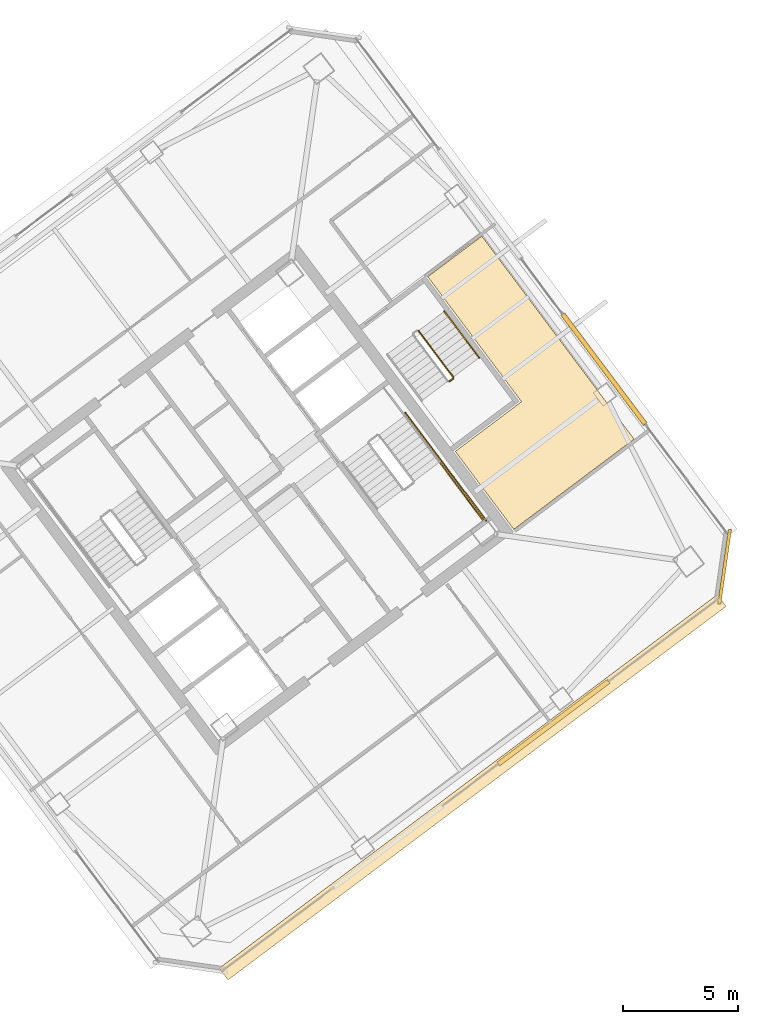
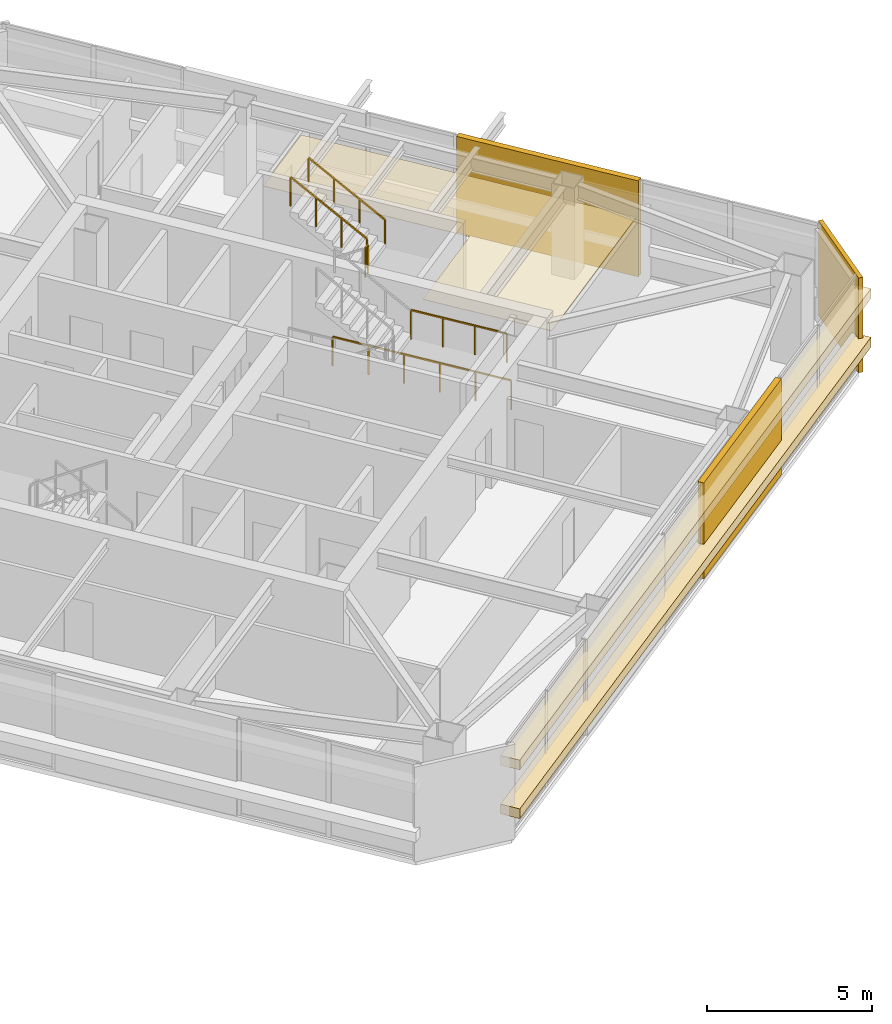
# One storey, part 43 of 44: 6 coverings, 5 railings.
"""IFC4 building model written with IfcOpenShell, lengths in metres."""

from ifc_helpers import new_model, si_unit, direction, frame, origin, origin_2d, place, context, subcontext, project, spatial, polyline, rectangle, outline, extrude, material, layer, layer_set, type_object, element, save


model = new_model("IFC4")

# Units and contexts
model_context = context("Model", 3, precision=1e-05, world=origin(), true_north=direction((0.0, 1.0)))
body_context = subcontext(model_context, "Body", "Model", "MODEL_VIEW")
ifc_project = project(units=[si_unit("LENGTHUNIT", "METRE"), si_unit("AREAUNIT", "SQUARE_METRE"), si_unit("VOLUMEUNIT", "CUBIC_METRE"), si_unit("PLANEANGLEUNIT", "RADIAN"), si_unit("MASSUNIT", "GRAM", prefix="KILO")], contexts=[model_context])

# Site, building, storey
site_placement = place(None, origin())
site = spatial("IfcSite", under=ifc_project, at=site_placement, CompositionType="ELEMENT")
building_placement = place(site_placement, origin())
building = spatial("IfcBuilding", under=site, at=building_placement, Name="Tashvorn Skyway Center", CompositionType="ELEMENT")
storey_placement = place(building_placement, frame((0.0, 0.0, 211.300048828125)))
storey = spatial("IfcBuildingStorey", under=building, at=storey_placement, Name="L57", CompositionType="ELEMENT", Elevation=211.300048828125)

# Coverings
ifc_material_1 = material(Name="Precast concrete C40/50", Category="concrete")
ifc_layer_1 = layer(ifc_material_1, 0.199951171875)
ifc_layer_set_1 = layer_set([ifc_layer_1], Name="Precast concrete C40/50")
covering_type_1 = type_object("IfcCoveringType", Name="COV-BRACE-CLAD", PredefinedType="CLADDING", material=ifc_layer_set_1)
for number, where, z_axis, x_axis, name in (
    (1, (126.882568359375, 22.31201171875, 0.0), (0.0, 0.0, 1.0), (-0.799999996291, -0.600000004945, 0.0), "Tower 2 L57 South Unitised Curtain Wall Mega-Brace Cladding Band 1"),
    (2, (129.080078125, 37.693359375, 0.0), (0.0, 0.0, 1.0), (0.600000004945, -0.799999996291, 0.0), "Tower 2 L57 East Unitised Curtain Wall Mega-Brace Cladding Band 2"),
):
    element("IfcCovering", number, at=place(storey_placement, frame(where, z_axis=z_axis, x_axis=x_axis)), inside=storey, type_object=covering_type_1, Name=name, PredefinedType="CLADDING", context=body_context, shape_type="SweptSolid", body=[
        extrude(rectangle(XDim=5.990966796875, YDim=0.199951171875, at=origin_2d()), origin(), (0.0, 0.0, 1.0), 3.550048828125),
    ])
ifc_material_2 = material(Name="Mineral-fibre acoustic ceiling tile on suspended grid")
ifc_layer_2 = layer(ifc_material_2, 0.02001953125)
ifc_layer_set_2 = layer_set([ifc_layer_2], Name="Mineral-fibre acoustic ceiling tile on suspended grid")
covering_type_2 = type_object("IfcCoveringType", Name="COV-CEIL-20", PredefinedType="CEILING", material=ifc_layer_set_2)
covering_1_placement = place(storey_placement, frame((0.0, 0.0, 2.702880859375)))
element("IfcCovering", 3, at=covering_1_placement, inside=storey, type_object=covering_type_2, Name="Tower 2 L57 Corporate Office Acoustic Ceiling", PredefinedType="CEILING", context=body_context, shape_type="SweptSolid", body=[
    extrude(outline(polyline([(125.159912109375, 30.719970703125), (122.615966796875, 34.112060546875), (125.49609375, 36.27197265625), (121.416015625, 41.7119140625), (123.76806640625, 43.47607421875), (127.847900390625, 38.035888671875), (130.39208984375, 34.64404296875), (125.159912109375, 30.719970703125)])), origin(), (0.0, 0.0, 1.0), 0.02001953125),
])
ifc_material_3 = material(Name="Perforated ceramic-coated bronze aluminium solar screen", Category="aluminium")
ifc_layer_3 = layer(ifc_material_3, 0.85009765625)
ifc_layer_set_3 = layer_set([ifc_layer_3], Name="Perforated ceramic-coated bronze aluminium solar screen")
covering_type_3 = type_object("IfcCoveringType", Name="COV-SOLAR-BAND", PredefinedType="CLADDING", material=ifc_layer_set_3)
for number, where, z_axis, x_axis, name in (
    (4, (123.3720703125, 19.50390625, 0.919921875), (0.0, 0.0, 1.0), (-0.799999996291, -0.600000004945, 0.0), "L57 Perforated Ceramic-Metal Solar Screen Louvre Band South 1"),
    (5, (123.3720703125, 19.50390625, 2.7197265625), (0.0, 0.0, 1.0), (-0.799999996291, -0.600000004945, 0.0), "L57 Perforated Ceramic-Metal Solar Screen Louvre Band South 2"),
):
    element("IfcCovering", number, at=place(storey_placement, frame(where, z_axis=z_axis, x_axis=x_axis)), inside=storey, type_object=covering_type_3, Name=name, PredefinedType="CLADDING", context=body_context, shape_type="SweptSolid", body=[
        extrude(rectangle(XDim=27.080078125, YDim=0.639892578125, at=origin_2d()), origin(), (0.0, 0.0, 1.0), 0.360107421875),
    ])
ifc_layer_4 = layer(ifc_material_1, 0.35009765625)
ifc_layer_set_4 = layer_set([ifc_layer_4], Name="Precast concrete C40/50")
covering_type_4 = type_object("IfcCoveringType", Name="COV-STONE-TRIM", PredefinedType="CLADDING", material=ifc_layer_set_4)
covering_2_placement = place(storey_placement, frame((134.327880859375, 29.095947265625, 0.02001953125), z_axis=(0.0, 0.0, 1.0), x_axis=(0.141421350118, 0.989949494535, 0.0)))
element("IfcCovering", 6, at=covering_2_placement, inside=storey, type_object=covering_type_4, Name="Tower 2 L57 SE Mojave Limestone Corner Quoin", PredefinedType="CLADDING", context=body_context, shape_type="SweptSolid", body=[
    extrude(rectangle(XDim=3.271240234375, YDim=0.139892578125, at=origin_2d()), origin(), (0.0, 0.0, 1.0), 3.510009765625),
])

# Railings
ifc_material_4 = material(Name="Brushed stainless steel 316", Category="steel")
railing_type_1 = type_object("IfcRailingType", Name="RAIL-HAND-920", PredefinedType="HANDRAIL", material=ifc_material_4)
railing_1_placement = place(storey_placement, frame((123.64794921875, 38.18603515625, 1.952392578125)))
element("IfcRailing", 7, at=railing_1_placement, inside=storey, type_object=railing_type_1, Name="L57 ST-T2-3 stair handrail 2", PredefinedType="HANDRAIL", context=body_context, shape_type="SweptSolid", body=[
    extrude(rectangle(XDim=0.048095703125, YDim=0.048095703125, at=origin_2d()), frame((0.0, 0.0, 0.8759765625), z_axis=(-0.50674661542, 0.675634878657, 0.535467439255), x_axis=(-0.79998837352, -0.60001550166, 0.0)), (0.0, 0.0, 1.0), 2.983642578125),
    extrude(rectangle(XDim=0.0419921875, YDim=0.0419921875, at=origin_2d()), origin(), (0.0, 0.0, 1.0), 0.851806640625),
    extrude(rectangle(XDim=0.0419921875, YDim=0.0419921875, at=origin_2d()), frame((-0.50390625, 0.671875, 0.532470703125)), (0.0, 0.0, 1.0), 0.851806640625),
    extrude(rectangle(XDim=0.0419921875, YDim=0.0419921875, at=origin_2d()), frame((-1.008056640625, 1.343994140625, 1.065185546875)), (0.0, 0.0, 1.0), 0.851806640625),
    extrude(rectangle(XDim=0.0419921875, YDim=0.0419921875, at=origin_2d()), frame((-1.511962890625, 2.015869140625, 1.59765625)), (0.0, 0.0, 1.0), 0.851806640625),
])
ifc_material_5 = material(Name="Painted galvanized steel S355", Category="steel")
railing_type_2 = type_object("IfcRailingType", Name="RAIL-STGUARD-1100", PredefinedType="GUARDRAIL", material=ifc_material_5)
railing_2_placement = place(storey_placement, frame((121.927978515625, 33.64599609375, 1.77490234375)))
element("IfcRailing", 8, at=railing_2_placement, inside=storey, type_object=railing_type_2, Name="L57 ST-T2-2 stair guard 3", PredefinedType="GUARDRAIL", context=body_context, shape_type="SweptSolid", body=[
    extrude(rectangle(XDim=0.048095703125, YDim=0.048095703125, at=origin_2d()), frame((0.0, 0.0, 1.076171875), z_axis=(0.599987638607, -0.800009270896, 0.0), x_axis=(0.800009270896, 0.599987638607, 0.0)), (0.0, 0.0, 1.0), 3.16015625),
    extrude(rectangle(XDim=0.0419921875, YDim=0.0419921875, at=origin_2d()), origin(), (0.0, 0.0, 1.0), 1.052001953125),
    extrude(rectangle(XDim=0.0419921875, YDim=0.0419921875, at=origin_2d()), frame((0.632080078125, -0.8427734375, 0.0)), (0.0, 0.0, 1.0), 1.052001953125),
    extrude(rectangle(XDim=0.0419921875, YDim=0.0419921875, at=origin_2d()), frame((1.263916015625, -1.685302734375, 0.0)), (0.0, 0.0, 1.0), 1.052001953125),
    extrude(rectangle(XDim=0.0419921875, YDim=0.0419921875, at=origin_2d()), frame((1.89599609375, -2.528076171875, 0.0)), (0.0, 0.0, 1.0), 1.052001953125),
])
railing_3_placement = place(storey_placement, frame((120.43603515625, 35.802001953125, 0.0)))
element("IfcRailing", 9, at=railing_3_placement, inside=storey, type_object=railing_type_2, Name="L57 ST-T2-2 stair guard 7", PredefinedType="GUARDRAIL", context=body_context, shape_type="SweptSolid", body=[
    extrude(rectangle(XDim=0.048095703125, YDim=0.048095703125, at=origin_2d()), frame((0.0, 0.0, 1.076171875), z_axis=(0.6, -0.8, 0.0), x_axis=(0.8, 0.6, 0.0)), (0.0, 0.0, 1.0), 5.880126953125),
    extrude(rectangle(XDim=0.0419921875, YDim=0.0419921875, at=origin_2d()), origin(), (0.0, 0.0, 1.0), 1.052001953125),
    extrude(rectangle(XDim=0.0419921875, YDim=0.0419921875, at=origin_2d()), frame((0.70556640625, -0.94091796875, 0.0)), (0.0, 0.0, 1.0), 1.052001953125),
    extrude(rectangle(XDim=0.0419921875, YDim=0.0419921875, at=origin_2d()), frame((1.4111328125, -1.881591796875, 0.0)), (0.0, 0.0, 1.0), 1.052001953125),
    extrude(rectangle(XDim=0.0419921875, YDim=0.0419921875, at=origin_2d()), frame((2.116943359375, -2.822509765625, 0.0)), (0.0, 0.0, 1.0), 1.052001953125),
    extrude(rectangle(XDim=0.0419921875, YDim=0.0419921875, at=origin_2d()), frame((2.822509765625, -3.76318359375, 0.0)), (0.0, 0.0, 1.0), 1.052001953125),
    extrude(rectangle(XDim=0.0419921875, YDim=0.0419921875, at=origin_2d()), frame((3.528076171875, -4.7041015625, 0.0)), (0.0, 0.0, 1.0), 1.052001953125),
])
railing_4_placement = place(storey_placement, frame((122.35791015625, 37.156005859375, 1.77490234375)))
element("IfcRailing", 10, at=railing_4_placement, inside=storey, type_object=railing_type_2, Name="L57 ST-T2-3 stair guard 2", PredefinedType="GUARDRAIL", context=body_context, shape_type="SweptSolid", body=[
    extrude(rectangle(XDim=0.048095703125, YDim=0.048095703125, at=origin_2d()), frame((0.0, 0.0, 1.076171875), z_axis=(0.800585412921, 0.599218655098, 0.0), x_axis=(-0.599218655098, 0.800585412921, 0.0)), (0.0, 0.0, 1.0), 0.199951171875),
    extrude(rectangle(XDim=0.0419921875, YDim=0.0419921875, at=origin_2d()), origin(), (0.0, 0.0, 1.0), 1.052001953125),
    extrude(rectangle(XDim=0.0419921875, YDim=0.0419921875, at=origin_2d()), frame((0.16015625, 0.119873046875, 0.0)), (0.0, 0.0, 1.0), 1.052001953125),
])
railing_5_placement = place(storey_placement, frame((122.528076171875, 37.345947265625, 1.952392578125)))
element("IfcRailing", 11, at=railing_5_placement, inside=storey, type_object=railing_type_2, Name="L57 ST-T2-3 stair guard 3", PredefinedType="GUARDRAIL", context=body_context, shape_type="SweptSolid", body=[
    extrude(rectangle(XDim=0.048095703125, YDim=0.048095703125, at=origin_2d()), frame((0.0, 0.0, 1.076171875), z_axis=(-0.506718600913, 0.675679348675, 0.535437836974), x_axis=(-0.800023250257, -0.599968998406, 0.0)), (0.0, 0.0, 1.0), 2.98388671875),
    extrude(rectangle(XDim=0.0419921875, YDim=0.0419921875, at=origin_2d()), origin(), (0.0, 0.0, 1.0), 1.052001953125),
    extrude(rectangle(XDim=0.0419921875, YDim=0.0419921875, at=origin_2d()), frame((-0.50390625, 0.672119140625, 0.532470703125)), (0.0, 0.0, 1.0), 1.052001953125),
    extrude(rectangle(XDim=0.0419921875, YDim=0.0419921875, at=origin_2d()), frame((-1.008056640625, 1.343994140625, 1.065185546875)), (0.0, 0.0, 1.0), 1.052001953125),
    extrude(rectangle(XDim=0.0419921875, YDim=0.0419921875, at=origin_2d()), frame((-1.511962890625, 2.01611328125, 1.59765625)), (0.0, 0.0, 1.0), 1.052001953125),
])

save(model, "model.ifc")
